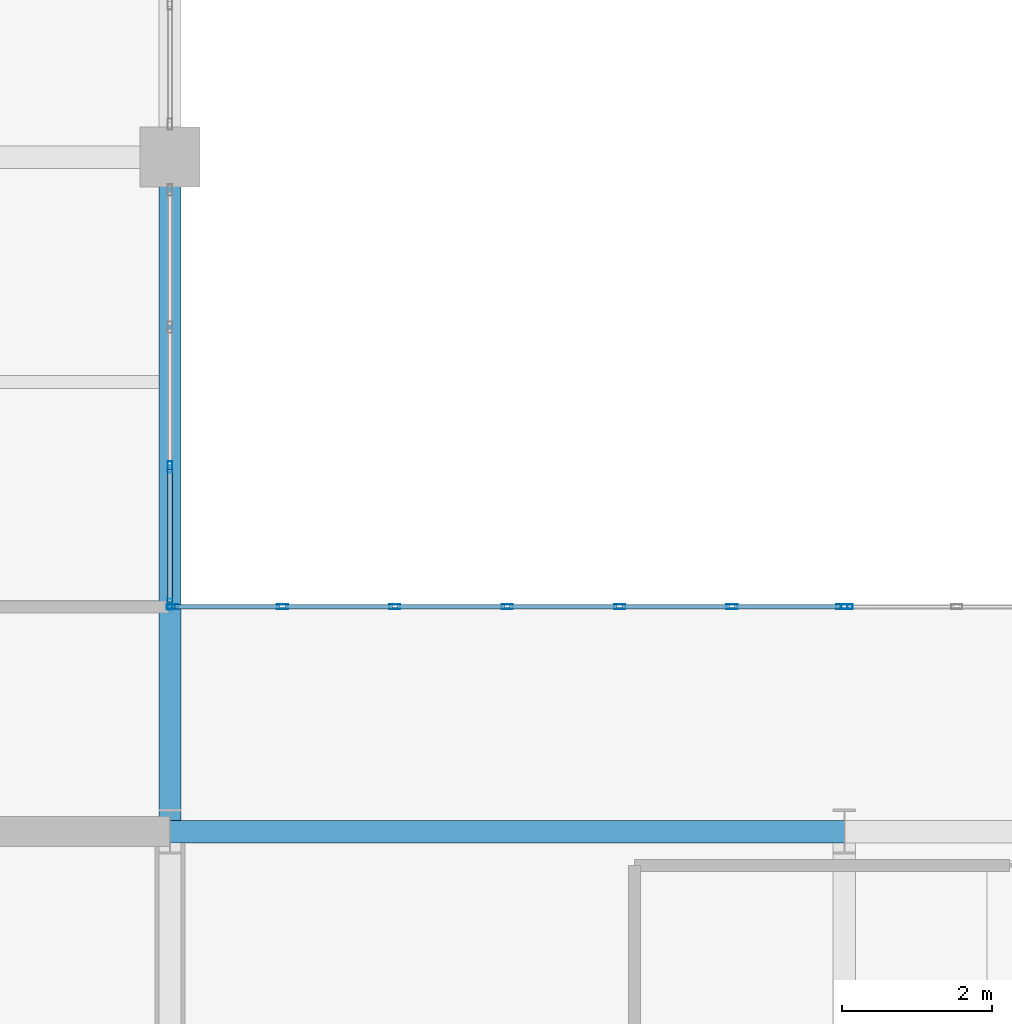
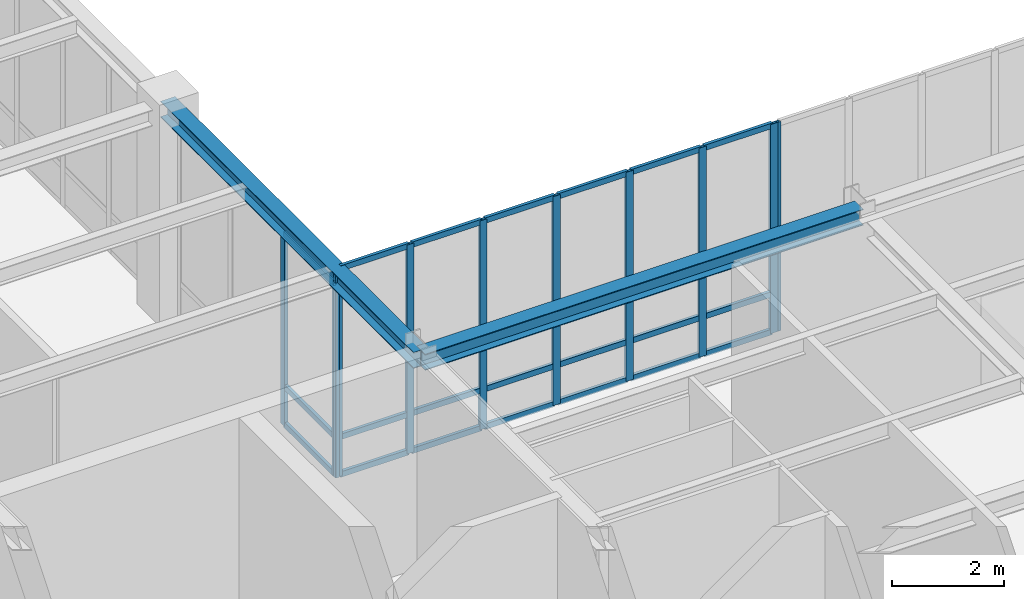
# One storey, part 16 of 92: 31 members, 2 beams, 3 elements without a shape of their own.
"""IFC4 building model written with IfcOpenShell, lengths in metres."""

import ifcopenshell
import ifcopenshell.guid

model = None  # the IFC model being written
_history = None  # IfcOwnerHistory: only IFC2X3 demands one
_inside = {}  # id of a spatial element -> (the spatial element, [elements in it])
_under = {}  # id of a project, library or spatial element -> (it, [spatial elements below it])
_declared = {}  # id of a project -> (the project, [libraries it declares])
_typed = {}  # id of a type object -> (the type object, [elements of that type])
_made_of = {}  # id of a material, layer set ... -> (it, [elements and type objects made of it])


def new_model(schema):
    """Start an empty IFC model of exactly this schema.

    Asked for "IFC4X3", IfcOpenShell would pick the latest addendum, in which some entities
    have other attributes; the version numbers below select the first issue.
    IFC2X3 requires an IfcOwnerHistory on every rooted entity: one is made here for all.
    """
    global model, _history
    if schema == "IFC4X3":
        model = ifcopenshell.file(schema_version=(4, 3, 0, 0))
    else:
        model = ifcopenshell.file(schema=schema)
    _inside.clear()
    _under.clear()
    _declared.clear()
    _typed.clear()
    _made_of.clear()
    _history = None
    if model.schema == "IFC2X3":
        org = make("IfcOrganization", Name="unknown")
        user = make(
            "IfcPersonAndOrganization",
            ThePerson=make("IfcPerson", FamilyName="unknown"),
            TheOrganization=org,
        )
        app = make(
            "IfcApplication",
            ApplicationDeveloper=org,
            Version="unknown",
            ApplicationFullName="unknown",
            ApplicationIdentifier="unknown",
        )
        _history = make(
            "IfcOwnerHistory",
            OwningUser=user,
            OwningApplication=app,
            ChangeAction="ADDED",
            CreationDate=0,
        )
    return model


def make(cls, **values):
    """One entity of the class cls with the attributes given. An attribute that is None is left unset."""
    return model.create_entity(
        cls, **{name: value for name, value in values.items() if value is not None}
    )


def rooted(cls, **values):
    """An entity with a GlobalId (a new one), such as an element, a storey or a relation."""
    return make(cls, GlobalId=ifcopenshell.guid.new(), OwnerHistory=_history, **values)


def si_unit(unit_type, name, prefix=None):
    """IfcSIUnit, for example si_unit("LENGTHUNIT", "METRE", prefix="MILLI")."""
    return make("IfcSIUnit", UnitType=unit_type, Prefix=prefix, Name=name)


def assignment(units):
    """IfcUnitAssignment: the units of a project."""
    return None if units is None else make("IfcUnitAssignment", Units=units)


def point(xyz):
    """IfcCartesianPoint."""
    return None if xyz is None else make("IfcCartesianPoint", Coordinates=xyz)


def direction(xyz):
    """IfcDirection."""
    return None if xyz is None else make("IfcDirection", DirectionRatios=xyz)


def frame(location, z_axis=None, x_axis=None):
    """IfcAxis2Placement3D, a coordinate frame: its origin and axes. An axis left out is left unset."""
    return make(
        "IfcAxis2Placement3D",
        Location=point(location),
        Axis=direction(z_axis),
        RefDirection=direction(x_axis),
    )


def frame_2d(location, x_axis=None):
    """IfcAxis2Placement2D, a coordinate frame in the plane: its origin and x axis."""
    return make(
        "IfcAxis2Placement2D", Location=point(location), RefDirection=direction(x_axis)
    )


def origin():
    """The frame at (0, 0, 0) with its axes left unset."""
    return frame((0.0, 0.0, 0.0))


def origin_2d():
    """The frame at (0, 0) in the plane with its x axis left unset."""
    return frame_2d((0.0, 0.0))


def place(relative_to, where):
    """IfcLocalPlacement: puts the frame where relative to a parent placement (None: the world)."""
    return make(
        "IfcLocalPlacement", PlacementRelTo=relative_to, RelativePlacement=where
    )


def context(
    kind, dimensions, precision=None, world=None, true_north=None, identifier=None
):
    """IfcGeometricRepresentationContext, for example the 3D "Model" context."""
    return make(
        "IfcGeometricRepresentationContext",
        ContextIdentifier=identifier,
        ContextType=kind,
        CoordinateSpaceDimension=dimensions,
        Precision=precision,
        WorldCoordinateSystem=world,
        TrueNorth=true_north,
    )


def subcontext(parent, identifier, kind, view, scale=None):
    """IfcGeometricRepresentationSubContext, for example "Body" below "Model"."""
    return make(
        "IfcGeometricRepresentationSubContext",
        ContextIdentifier=identifier,
        ContextType=kind,
        ParentContext=parent,
        TargetScale=scale,
        TargetView=view,
    )


def project(units=None, contexts=None):
    """IfcProject with its units and contexts."""
    return rooted(
        "IfcProject",
        Name="project",
        RepresentationContexts=contexts,
        UnitsInContext=assignment(units),
    )


def spatial(cls, under=None, at=None, **own):
    """A site, building, storey or space (cls), placed at a placement, below another one or the project."""
    s = rooted(cls, ObjectPlacement=at, **own)
    if under is not None:
        _under.setdefault(under.id(), (under, []))[1].append(s)
    return s


def profile(cls, at=None, kind="AREA", **sizes):
    """A parametric profile (cls). Its sizes go by their IFC names, for example OverallWidth=200.0."""
    return make(cls, ProfileType=kind, Position=at, **sizes)


def hollow_rectangle(**sizes):
    """IfcRectangleHollowProfileDef."""
    return profile("IfcRectangleHollowProfileDef", **sizes)


def i_section(**sizes):
    """IfcIShapeProfileDef."""
    return profile("IfcIShapeProfileDef", **sizes)


def extrude(swept, where, along, depth):
    """IfcExtrudedAreaSolid: the profile swept, set in the frame where, extruded along a direction by depth."""
    return make(
        "IfcExtrudedAreaSolid",
        SweptArea=swept,
        Position=where,
        ExtrudedDirection=direction(along),
        Depth=depth,
    )


def shape(context_of_items, identifier, shape_type, items):
    """IfcShapeRepresentation: the items that make up one representation, for example the "Body"."""
    return make(
        "IfcShapeRepresentation",
        ContextOfItems=context_of_items,
        RepresentationIdentifier=identifier,
        RepresentationType=shape_type,
        Items=items,
    )


def material(Name=None, Category=None):
    """IfcMaterial."""
    return make("IfcMaterial", Name=Name, Category=Category)


def material_profile(
    of_material, cross_section, Name=None, Category=None, Priority=None
):
    """IfcMaterialProfile: a cross section and its material."""
    return make(
        "IfcMaterialProfile",
        Name=Name,
        Material=of_material,
        Profile=cross_section,
        Priority=Priority,
        Category=Category,
    )


def profile_set(profiles, Name=None, composite=None):
    """IfcMaterialProfileSet."""
    return make(
        "IfcMaterialProfileSet",
        Name=Name,
        MaterialProfiles=profiles,
        CompositeProfile=composite,
    )


def made_of(thing, what):
    """Note that an element or type object is made of a material, layer set ...; save() writes the relation."""
    if what is not None:
        _made_of.setdefault(what.id(), (what, []))[1].append(thing)
    return thing


def type_object(cls, material=None, **own):
    """A type object (cls), such as IfcWallType, which elements share."""
    return made_of(rooted(cls, **own), material)


def element(
    cls,
    number,
    at=None,
    inside=None,
    cuts=None,
    type_object=None,
    material=None,
    context=None,
    identifier="Body",
    shape_type=None,
    held_by="IfcProductDefinitionShape",
    body=None,
    shapes=None,
    **own,
):
    """One element of the class cls, such as IfcWall. Its Tag is "e" and its number.

    at: its placement. inside: the storey or other place that contains it. cuts: it is an
    opening in that element (IfcRelVoidsElement). A single representation is given by context,
    identifier, shape_type and body (its items); several are given by shapes. held_by: the class
    of the entity that holds the representations. save() writes the other relations.
    """
    e = rooted(cls, Tag="e%d" % number, ObjectPlacement=at, **own)
    if body is not None:
        shapes = [shape(context, identifier, shape_type, body)]
    if shapes is not None:
        e.Representation = make(held_by, Representations=shapes)
    if inside is not None:
        _inside.setdefault(inside.id(), (inside, []))[1].append(e)
    if cuts is not None:
        rooted(
            "IfcRelVoidsElement", RelatingBuildingElement=cuts, RelatedOpeningElement=e
        )
    if type_object is not None:
        _typed.setdefault(type_object.id(), (type_object, []))[1].append(e)
    return made_of(e, material)


def aggregate(whole, parts):
    """IfcRelAggregates: a whole, such as a stair, and the parts it consists of."""
    return rooted("IfcRelAggregates", RelatingObject=whole, RelatedObjects=parts)


def save(model, path):
    """Write the relations noted so far, then the file.

    IfcRelAggregates (storeys below a building ...), IfcRelContainedInSpatialStructure (elements
    in a storey), IfcRelDefinesByType, IfcRelAssociatesMaterial and IfcRelDeclares: one each for
    every whole, place, type object, material and project.
    """
    for whole, parts in _under.values():
        aggregate(whole, parts)
    for where, things in _inside.values():
        rooted(
            "IfcRelContainedInSpatialStructure",
            RelatedElements=things,
            RelatingStructure=where,
        )
    for kind, things in _typed.values():
        rooted("IfcRelDefinesByType", RelatedObjects=things, RelatingType=kind)
    for what, things in _made_of.values():
        rooted("IfcRelAssociatesMaterial", RelatedObjects=things, RelatingMaterial=what)
    for by, libraries in _declared.values():
        rooted("IfcRelDeclares", RelatingContext=by, RelatedDefinitions=libraries)
    model.write(path)


model = new_model("IFC4")

# Units and contexts
model_context = context("Model", 3, precision=1e-05, world=origin(), true_north=direction((0.0, 1.0)))
body_context = subcontext(model_context, "Body", "Model", "MODEL_VIEW")
ifc_project = project(units=[si_unit("LENGTHUNIT", "METRE"), si_unit("AREAUNIT", "SQUARE_METRE"), si_unit("VOLUMEUNIT", "CUBIC_METRE"), si_unit("PLANEANGLEUNIT", "RADIAN"), si_unit("MASSUNIT", "GRAM", prefix="KILO")], contexts=[model_context])

# Site, building, storey
site_placement = place(None, origin())
site = spatial("IfcSite", under=ifc_project, at=site_placement, CompositionType="ELEMENT")
building_placement = place(site_placement, origin())
building = spatial("IfcBuilding", under=site, at=building_placement, Name="Lykobir Media Centre", CompositionType="ELEMENT")
storey_placement = place(building_placement, frame((0.0, 0.0, 5.39990234375)))
storey = spatial("IfcBuildingStorey", under=building, at=storey_placement, Name="L01", CompositionType="ELEMENT", Elevation=5.39990234375)

# Beam
ifc_material_1 = material(Name="Steel S355", Category="steel")
ifc_material_profile_1 = material_profile(ifc_material_1, i_section(OverallWidth=0.300048828125, OverallDepth=0.35009765625, WebThickness=0.010009765625, FlangeThickness=0.017578125, at=origin_2d()), Name="HEA 360")
ifc_profile_set_1 = profile_set([ifc_material_profile_1], Name="Steel S355")
beam_type_1 = type_object("IfcBeamType", Name="BM-HEA360", PredefinedType="BEAM", material=ifc_profile_set_1)
beam_1_placement = place(storey_placement, frame((36.0, 18.0, 4.385009765625), z_axis=(0.0, 1.0, 0.0), x_axis=(-1.0, 0.0, 0.0)))
element("IfcBeam", 1, at=beam_1_placement, inside=storey, type_object=beam_type_1, Name="Beam BM-L01-0360-0180-0360-0270-978", PredefinedType="BEAM", context=body_context, shape_type="SweptSolid", body=[
    extrude(i_section(OverallWidth=0.300048828125, OverallDepth=0.35009765625, WebThickness=0.010009765625, FlangeThickness=0.017578125, at=origin_2d()), origin(), (0.0, 0.0, 1.0), 9.0),
])

# Curtain wall, members
ifc_material_2 = material(Name="Anodized Aluminium AW-6060", Category="aluminium")
curtain_wall_type = type_object("IfcCurtainWallType", Name="CW-COURT-A", PredefinedType="NOTDEFINED", material=ifc_material_2)
curtain_wall_1_placement = place(storey_placement, origin())
curtain_wall_1 = element("IfcCurtainWall", 2, at=curtain_wall_1_placement, inside=storey, type_object=curtain_wall_type, Name="Curtain wall CW2-L01-0044", PredefinedType="NOTDEFINED")
ifc_material_profile_2 = material_profile(ifc_material_2, hollow_rectangle(XDim=0.06494140625, YDim=0.14990234375, WallThickness=0.00341796875, at=origin_2d()), Name="ALU MULLION 65x150")
ifc_profile_set_2 = profile_set([ifc_material_profile_2], Name="Anodized Aluminium AW-6060")
member_type_1 = type_object("IfcMemberType", Name="CWM-150", PredefinedType="MULLION", material=ifc_profile_set_2)
member_1_placement = place(storey_placement, frame((36.032470703125, 21.0, 0.0), z_axis=(0.0, 0.0, 1.0), x_axis=(0.0, 1.0, 0.0)))
member_1 = element("IfcMember", 3, at=member_1_placement, type_object=member_type_1, Name="CW2-L01-0044 mullion 1", PredefinedType="MULLION", context=body_context, shape_type="SweptSolid", body=[
    extrude(hollow_rectangle(XDim=0.06494140625, YDim=0.14990234375, WallThickness=0.00341796875, at=origin_2d()), origin(), (0.0, 0.0, 1.0), 4.5400390625),
])
member_2_placement = place(storey_placement, frame((37.5, 21.0, 0.0), z_axis=(0.0, 0.0, 1.0), x_axis=(0.0, 1.0, 0.0)))
member_2 = element("IfcMember", 4, at=member_2_placement, type_object=member_type_1, Name="CW2-L01-0044 mullion 2", PredefinedType="MULLION", context=body_context, shape_type="SweptSolid", body=[
    extrude(hollow_rectangle(XDim=0.06494140625, YDim=0.14990234375, WallThickness=0.00341796875, at=origin_2d()), origin(), (0.0, 0.0, 1.0), 4.5400390625),
])
member_3_placement = place(storey_placement, frame((39.0, 21.0, 0.0), z_axis=(0.0, 0.0, 1.0), x_axis=(0.0, 1.0, 0.0)))
member_3 = element("IfcMember", 5, at=member_3_placement, type_object=member_type_1, Name="CW2-L01-0044 mullion 3", PredefinedType="MULLION", context=body_context, shape_type="SweptSolid", body=[
    extrude(hollow_rectangle(XDim=0.06494140625, YDim=0.14990234375, WallThickness=0.00341796875, at=origin_2d()), origin(), (0.0, 0.0, 1.0), 4.5400390625),
])
member_4_placement = place(storey_placement, frame((40.5, 21.0, 0.0), z_axis=(0.0, 0.0, 1.0), x_axis=(0.0, 1.0, 0.0)))
member_4 = element("IfcMember", 6, at=member_4_placement, type_object=member_type_1, Name="CW2-L01-0044 mullion 4", PredefinedType="MULLION", context=body_context, shape_type="SweptSolid", body=[
    extrude(hollow_rectangle(XDim=0.06494140625, YDim=0.14990234375, WallThickness=0.00341796875, at=origin_2d()), origin(), (0.0, 0.0, 1.0), 4.5400390625),
])
member_5_placement = place(storey_placement, frame((42.0, 21.0, 0.0), z_axis=(0.0, 0.0, 1.0), x_axis=(0.0, 1.0, 0.0)))
member_5 = element("IfcMember", 7, at=member_5_placement, type_object=member_type_1, Name="CW2-L01-0044 mullion 5", PredefinedType="MULLION", context=body_context, shape_type="SweptSolid", body=[
    extrude(hollow_rectangle(XDim=0.06494140625, YDim=0.14990234375, WallThickness=0.00341796875, at=origin_2d()), origin(), (0.0, 0.0, 1.0), 4.5400390625),
])
member_6_placement = place(storey_placement, frame((43.5, 21.0, 0.0), z_axis=(0.0, 0.0, 1.0), x_axis=(0.0, 1.0, 0.0)))
member_6 = element("IfcMember", 8, at=member_6_placement, type_object=member_type_1, Name="CW2-L01-0044 mullion 6", PredefinedType="MULLION", context=body_context, shape_type="SweptSolid", body=[
    extrude(hollow_rectangle(XDim=0.06494140625, YDim=0.14990234375, WallThickness=0.00341796875, at=origin_2d()), origin(), (0.0, 0.0, 1.0), 4.5400390625),
])
member_7_placement = place(storey_placement, frame((44.967529296875, 21.0, 0.0), z_axis=(0.0, 0.0, 1.0), x_axis=(0.0, 1.0, 0.0)))
member_7 = element("IfcMember", 9, at=member_7_placement, type_object=member_type_1, Name="CW2-L01-0044 mullion 7", PredefinedType="MULLION", context=body_context, shape_type="SweptSolid", body=[
    extrude(hollow_rectangle(XDim=0.06494140625, YDim=0.14990234375, WallThickness=0.00341796875, at=origin_2d()), origin(), (0.0, 0.0, 1.0), 4.5400390625),
])

# Curtain wall, member
curtain_wall_2_placement = place(storey_placement, origin())
curtain_wall_2 = element("IfcCurtainWall", 10, at=curtain_wall_2_placement, inside=storey, type_object=curtain_wall_type, Name="Curtain wall CW2-L01-0045", PredefinedType="NOTDEFINED")
member_8_placement = place(storey_placement, frame((45.032470703125, 21.0, 0.0), z_axis=(0.0, 0.0, 1.0), x_axis=(0.0, 1.0, 0.0)))
member_8 = element("IfcMember", 11, at=member_8_placement, type_object=member_type_1, Name="CW2-L01-0045 mullion 1", PredefinedType="MULLION", context=body_context, shape_type="SweptSolid", body=[
    extrude(hollow_rectangle(XDim=0.06494140625, YDim=0.14990234375, WallThickness=0.00341796875, at=origin_2d()), origin(), (0.0, 0.0, 1.0), 4.5400390625),
])
aggregate(curtain_wall_2, [member_8])

# Curtain wall, members
curtain_wall_3_placement = place(storey_placement, origin())
curtain_wall_3 = element("IfcCurtainWall", 12, at=curtain_wall_3_placement, inside=storey, type_object=curtain_wall_type, Name="Curtain wall CW2-L01-0048", PredefinedType="NOTDEFINED")
member_9_placement = place(storey_placement, frame((36.0, 22.864990234375, 0.0), z_axis=(0.0, 0.0, 1.0), x_axis=(1.0, 0.0, 0.0)))
member_9 = element("IfcMember", 13, at=member_9_placement, type_object=member_type_1, Name="CW2-L01-0048 mullion 3", PredefinedType="MULLION", context=body_context, shape_type="SweptSolid", body=[
    extrude(hollow_rectangle(XDim=0.06494140625, YDim=0.14990234375, WallThickness=0.00341796875, at=origin_2d()), origin(), (0.0, 0.0, 1.0), 4.195068359375),
])
member_10_placement = place(storey_placement, frame((36.0, 21.032470703125, 0.0), z_axis=(0.0, 0.0, 1.0), x_axis=(1.0, 0.0, 0.0)))
member_10 = element("IfcMember", 14, at=member_10_placement, type_object=member_type_1, Name="CW2-L01-0048 mullion 4", PredefinedType="MULLION", context=body_context, shape_type="SweptSolid", body=[
    extrude(hollow_rectangle(XDim=0.06494140625, YDim=0.14990234375, WallThickness=0.00341796875, at=origin_2d()), origin(), (0.0, 0.0, 1.0), 4.195068359375),
])

# Member
ifc_material_profile_3 = material_profile(ifc_material_2, hollow_rectangle(XDim=0.06494140625, YDim=0.1201171875, WallThickness=0.0029296875, at=origin_2d()), Name="ALU TRANSOM 65x120")
ifc_profile_set_3 = profile_set([ifc_material_profile_3], Name="Anodized Aluminium AW-6060")
member_type_2 = type_object("IfcMemberType", Name="CWT-120", PredefinedType="USERDEFINED", material=ifc_profile_set_3)
member_11_placement = place(storey_placement, frame((36.06494140625, 21.0, 0.03271484375), z_axis=(1.0, 0.0, 0.0), x_axis=(0.0, 1.0, 0.0)))
member_11 = element("IfcMember", 15, at=member_11_placement, type_object=member_type_2, Name="CW2-L01-0044 transom 1.1", ObjectType="TRANSOM", PredefinedType="USERDEFINED", context=body_context, shape_type="SweptSolid", body=[
    extrude(hollow_rectangle(XDim=0.06494140625, YDim=0.1201171875, WallThickness=0.0029296875, at=origin_2d()), origin(), (0.0, 0.0, 1.0), 1.402587890625),
])

member_12_placement = place(storey_placement, frame((36.06494140625, 21.0, 0.85009765625), z_axis=(1.0, 0.0, 0.0), x_axis=(0.0, 1.0, 0.0)))
member_12 = element("IfcMember", 16, at=member_12_placement, type_object=member_type_2, Name="CW2-L01-0044 transom 1.2", ObjectType="TRANSOM", PredefinedType="USERDEFINED", context=body_context, shape_type="SweptSolid", body=[
    extrude(hollow_rectangle(XDim=0.06494140625, YDim=0.1201171875, WallThickness=0.0029296875, at=origin_2d()), origin(), (0.0, 0.0, 1.0), 1.402587890625),
])

member_13_placement = place(storey_placement, frame((36.06494140625, 21.0, 4.507568359375), z_axis=(1.0, 0.0, 0.0), x_axis=(0.0, 1.0, 0.0)))
member_13 = element("IfcMember", 17, at=member_13_placement, type_object=member_type_2, Name="CW2-L01-0044 transom 1.3", ObjectType="TRANSOM", PredefinedType="USERDEFINED", context=body_context, shape_type="SweptSolid", body=[
    extrude(hollow_rectangle(XDim=0.06494140625, YDim=0.1201171875, WallThickness=0.0029296875, at=origin_2d()), origin(), (0.0, 0.0, 1.0), 1.402587890625),
])

member_14_placement = place(storey_placement, frame((37.532470703125, 21.0, 0.03271484375), z_axis=(1.0, 0.0, 0.0), x_axis=(0.0, 1.0, 0.0)))
member_14 = element("IfcMember", 18, at=member_14_placement, type_object=member_type_2, Name="CW2-L01-0044 transom 2.1", ObjectType="TRANSOM", PredefinedType="USERDEFINED", context=body_context, shape_type="SweptSolid", body=[
    extrude(hollow_rectangle(XDim=0.06494140625, YDim=0.1201171875, WallThickness=0.0029296875, at=origin_2d()), origin(), (0.0, 0.0, 1.0), 1.43505859375),
])

member_15_placement = place(storey_placement, frame((37.532470703125, 21.0, 0.85009765625), z_axis=(1.0, 0.0, 0.0), x_axis=(0.0, 1.0, 0.0)))
member_15 = element("IfcMember", 19, at=member_15_placement, type_object=member_type_2, Name="CW2-L01-0044 transom 2.2", ObjectType="TRANSOM", PredefinedType="USERDEFINED", context=body_context, shape_type="SweptSolid", body=[
    extrude(hollow_rectangle(XDim=0.06494140625, YDim=0.1201171875, WallThickness=0.0029296875, at=origin_2d()), origin(), (0.0, 0.0, 1.0), 1.43505859375),
])

member_16_placement = place(storey_placement, frame((37.532470703125, 21.0, 4.507568359375), z_axis=(1.0, 0.0, 0.0), x_axis=(0.0, 1.0, 0.0)))
member_16 = element("IfcMember", 20, at=member_16_placement, type_object=member_type_2, Name="CW2-L01-0044 transom 2.3", ObjectType="TRANSOM", PredefinedType="USERDEFINED", context=body_context, shape_type="SweptSolid", body=[
    extrude(hollow_rectangle(XDim=0.06494140625, YDim=0.1201171875, WallThickness=0.0029296875, at=origin_2d()), origin(), (0.0, 0.0, 1.0), 1.43505859375),
])

member_17_placement = place(storey_placement, frame((39.032470703125, 21.0, 0.03271484375), z_axis=(1.0, 0.0, 0.0), x_axis=(0.0, 1.0, 0.0)))
member_17 = element("IfcMember", 21, at=member_17_placement, type_object=member_type_2, Name="CW2-L01-0044 transom 3.1", ObjectType="TRANSOM", PredefinedType="USERDEFINED", context=body_context, shape_type="SweptSolid", body=[
    extrude(hollow_rectangle(XDim=0.06494140625, YDim=0.1201171875, WallThickness=0.0029296875, at=origin_2d()), origin(), (0.0, 0.0, 1.0), 1.43505859375),
])

member_18_placement = place(storey_placement, frame((39.032470703125, 21.0, 0.85009765625), z_axis=(1.0, 0.0, 0.0), x_axis=(0.0, 1.0, 0.0)))
member_18 = element("IfcMember", 22, at=member_18_placement, type_object=member_type_2, Name="CW2-L01-0044 transom 3.2", ObjectType="TRANSOM", PredefinedType="USERDEFINED", context=body_context, shape_type="SweptSolid", body=[
    extrude(hollow_rectangle(XDim=0.06494140625, YDim=0.1201171875, WallThickness=0.0029296875, at=origin_2d()), origin(), (0.0, 0.0, 1.0), 1.43505859375),
])

member_19_placement = place(storey_placement, frame((39.032470703125, 21.0, 4.507568359375), z_axis=(1.0, 0.0, 0.0), x_axis=(0.0, 1.0, 0.0)))
member_19 = element("IfcMember", 23, at=member_19_placement, type_object=member_type_2, Name="CW2-L01-0044 transom 3.3", ObjectType="TRANSOM", PredefinedType="USERDEFINED", context=body_context, shape_type="SweptSolid", body=[
    extrude(hollow_rectangle(XDim=0.06494140625, YDim=0.1201171875, WallThickness=0.0029296875, at=origin_2d()), origin(), (0.0, 0.0, 1.0), 1.43505859375),
])

member_20_placement = place(storey_placement, frame((40.532470703125, 21.0, 0.03271484375), z_axis=(1.0, 0.0, 0.0), x_axis=(0.0, 1.0, 0.0)))
member_20 = element("IfcMember", 24, at=member_20_placement, type_object=member_type_2, Name="CW2-L01-0044 transom 4.1", ObjectType="TRANSOM", PredefinedType="USERDEFINED", context=body_context, shape_type="SweptSolid", body=[
    extrude(hollow_rectangle(XDim=0.06494140625, YDim=0.1201171875, WallThickness=0.0029296875, at=origin_2d()), origin(), (0.0, 0.0, 1.0), 1.43505859375),
])

member_21_placement = place(storey_placement, frame((40.532470703125, 21.0, 0.85009765625), z_axis=(1.0, 0.0, 0.0), x_axis=(0.0, 1.0, 0.0)))
member_21 = element("IfcMember", 25, at=member_21_placement, type_object=member_type_2, Name="CW2-L01-0044 transom 4.2", ObjectType="TRANSOM", PredefinedType="USERDEFINED", context=body_context, shape_type="SweptSolid", body=[
    extrude(hollow_rectangle(XDim=0.06494140625, YDim=0.1201171875, WallThickness=0.0029296875, at=origin_2d()), origin(), (0.0, 0.0, 1.0), 1.43505859375),
])

member_22_placement = place(storey_placement, frame((40.532470703125, 21.0, 4.507568359375), z_axis=(1.0, 0.0, 0.0), x_axis=(0.0, 1.0, 0.0)))
member_22 = element("IfcMember", 26, at=member_22_placement, type_object=member_type_2, Name="CW2-L01-0044 transom 4.3", ObjectType="TRANSOM", PredefinedType="USERDEFINED", context=body_context, shape_type="SweptSolid", body=[
    extrude(hollow_rectangle(XDim=0.06494140625, YDim=0.1201171875, WallThickness=0.0029296875, at=origin_2d()), origin(), (0.0, 0.0, 1.0), 1.43505859375),
])

member_23_placement = place(storey_placement, frame((42.032470703125, 21.0, 0.03271484375), z_axis=(1.0, 0.0, 0.0), x_axis=(0.0, 1.0, 0.0)))
member_23 = element("IfcMember", 27, at=member_23_placement, type_object=member_type_2, Name="CW2-L01-0044 transom 5.1", ObjectType="TRANSOM", PredefinedType="USERDEFINED", context=body_context, shape_type="SweptSolid", body=[
    extrude(hollow_rectangle(XDim=0.06494140625, YDim=0.1201171875, WallThickness=0.0029296875, at=origin_2d()), origin(), (0.0, 0.0, 1.0), 1.43505859375),
])

member_24_placement = place(storey_placement, frame((42.032470703125, 21.0, 0.85009765625), z_axis=(1.0, 0.0, 0.0), x_axis=(0.0, 1.0, 0.0)))
member_24 = element("IfcMember", 28, at=member_24_placement, type_object=member_type_2, Name="CW2-L01-0044 transom 5.2", ObjectType="TRANSOM", PredefinedType="USERDEFINED", context=body_context, shape_type="SweptSolid", body=[
    extrude(hollow_rectangle(XDim=0.06494140625, YDim=0.1201171875, WallThickness=0.0029296875, at=origin_2d()), origin(), (0.0, 0.0, 1.0), 1.43505859375),
])

member_25_placement = place(storey_placement, frame((42.032470703125, 21.0, 4.507568359375), z_axis=(1.0, 0.0, 0.0), x_axis=(0.0, 1.0, 0.0)))
member_25 = element("IfcMember", 29, at=member_25_placement, type_object=member_type_2, Name="CW2-L01-0044 transom 5.3", ObjectType="TRANSOM", PredefinedType="USERDEFINED", context=body_context, shape_type="SweptSolid", body=[
    extrude(hollow_rectangle(XDim=0.06494140625, YDim=0.1201171875, WallThickness=0.0029296875, at=origin_2d()), origin(), (0.0, 0.0, 1.0), 1.43505859375),
])

member_26_placement = place(storey_placement, frame((43.532470703125, 21.0, 0.03271484375), z_axis=(1.0, 0.0, 0.0), x_axis=(0.0, 1.0, 0.0)))
member_26 = element("IfcMember", 30, at=member_26_placement, type_object=member_type_2, Name="CW2-L01-0044 transom 6.1", ObjectType="TRANSOM", PredefinedType="USERDEFINED", context=body_context, shape_type="SweptSolid", body=[
    extrude(hollow_rectangle(XDim=0.06494140625, YDim=0.1201171875, WallThickness=0.0029296875, at=origin_2d()), origin(), (0.0, 0.0, 1.0), 1.402587890625),
])

member_27_placement = place(storey_placement, frame((43.532470703125, 21.0, 0.85009765625), z_axis=(1.0, 0.0, 0.0), x_axis=(0.0, 1.0, 0.0)))
member_27 = element("IfcMember", 31, at=member_27_placement, type_object=member_type_2, Name="CW2-L01-0044 transom 6.2", ObjectType="TRANSOM", PredefinedType="USERDEFINED", context=body_context, shape_type="SweptSolid", body=[
    extrude(hollow_rectangle(XDim=0.06494140625, YDim=0.1201171875, WallThickness=0.0029296875, at=origin_2d()), origin(), (0.0, 0.0, 1.0), 1.402587890625),
])

member_28_placement = place(storey_placement, frame((43.532470703125, 21.0, 4.507568359375), z_axis=(1.0, 0.0, 0.0), x_axis=(0.0, 1.0, 0.0)))
member_28 = element("IfcMember", 32, at=member_28_placement, type_object=member_type_2, Name="CW2-L01-0044 transom 6.3", ObjectType="TRANSOM", PredefinedType="USERDEFINED", context=body_context, shape_type="SweptSolid", body=[
    extrude(hollow_rectangle(XDim=0.06494140625, YDim=0.1201171875, WallThickness=0.0029296875, at=origin_2d()), origin(), (0.0, 0.0, 1.0), 1.402587890625),
])

aggregate(curtain_wall_1, [member_1, member_2, member_3, member_4, member_5, member_6, member_7, member_11, member_12, member_13, member_14, member_15, member_16, member_17, member_18, member_19, member_20, member_21, member_22, member_23, member_24, member_25, member_26, member_27, member_28])

member_29_placement = place(storey_placement, frame((36.0, 22.83251953125, 0.03271484375), z_axis=(0.0, -1.0, 0.0), x_axis=(1.0, 0.0, 0.0)))
member_29 = element("IfcMember", 33, at=member_29_placement, type_object=member_type_2, Name="CW2-L01-0048 transom 3.1", ObjectType="TRANSOM", PredefinedType="USERDEFINED", context=body_context, shape_type="SweptSolid", body=[
    extrude(hollow_rectangle(XDim=0.06494140625, YDim=0.1201171875, WallThickness=0.0029296875, at=origin_2d()), origin(), (0.0, 0.0, 1.0), 1.767578125),
])

member_30_placement = place(storey_placement, frame((36.0, 22.83251953125, 0.85009765625), z_axis=(0.0, -1.0, 0.0), x_axis=(1.0, 0.0, 0.0)))
member_30 = element("IfcMember", 34, at=member_30_placement, type_object=member_type_2, Name="CW2-L01-0048 transom 3.2", ObjectType="TRANSOM", PredefinedType="USERDEFINED", context=body_context, shape_type="SweptSolid", body=[
    extrude(hollow_rectangle(XDim=0.06494140625, YDim=0.1201171875, WallThickness=0.0029296875, at=origin_2d()), origin(), (0.0, 0.0, 1.0), 1.767578125),
])

member_31_placement = place(storey_placement, frame((36.0, 22.83251953125, 4.16259765625), z_axis=(0.0, -1.0, 0.0), x_axis=(1.0, 0.0, 0.0)))
member_31 = element("IfcMember", 35, at=member_31_placement, type_object=member_type_2, Name="CW2-L01-0048 transom 3.3", ObjectType="TRANSOM", PredefinedType="USERDEFINED", context=body_context, shape_type="SweptSolid", body=[
    extrude(hollow_rectangle(XDim=0.06494140625, YDim=0.1201171875, WallThickness=0.0029296875, at=origin_2d()), origin(), (0.0, 0.0, 1.0), 1.767578125),
])

aggregate(curtain_wall_3, [member_9, member_10, member_29, member_30, member_31])

# Beam
ifc_material_profile_4 = material_profile(ifc_material_1, i_section(OverallWidth=0.300048828125, OverallDepth=0.35009765625, WebThickness=0.010009765625, FlangeThickness=0.017578125, at=origin_2d()), Name="HEA 360")
ifc_profile_set_4 = profile_set([ifc_material_profile_4], Name="Steel S355")
beam_type_2 = type_object("IfcBeamType", Name="SP-HEA360", PredefinedType="SPANDREL", material=ifc_profile_set_4)
beam_2_placement = place(storey_placement, frame((36.0, 18.0, 4.385009765625), z_axis=(1.0, 0.0, 0.0), x_axis=(0.0, 1.0, 0.0)))
element("IfcBeam", 36, at=beam_2_placement, inside=storey, type_object=beam_type_2, Name="Beam BM-L01-0360-0180-0450-0180-978", PredefinedType="SPANDREL", context=body_context, shape_type="SweptSolid", body=[
    extrude(i_section(OverallWidth=0.300048828125, OverallDepth=0.35009765625, WebThickness=0.010009765625, FlangeThickness=0.017578125, at=origin_2d()), origin(), (0.0, 0.0, 1.0), 9.0),
])

save(model, "model.ifc")
